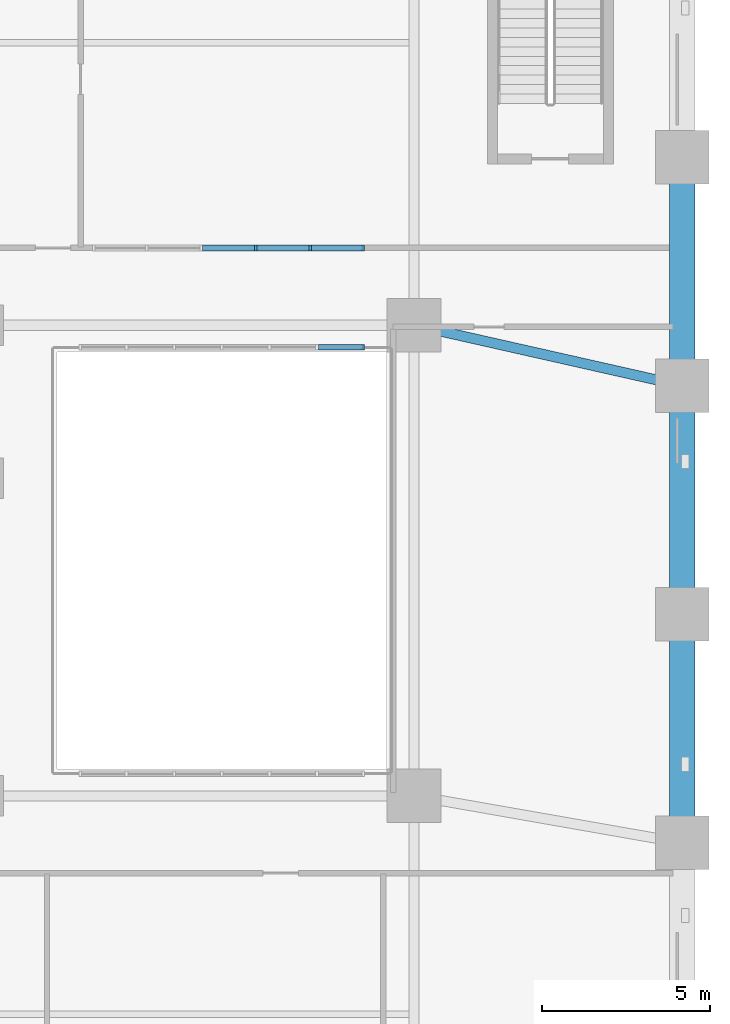
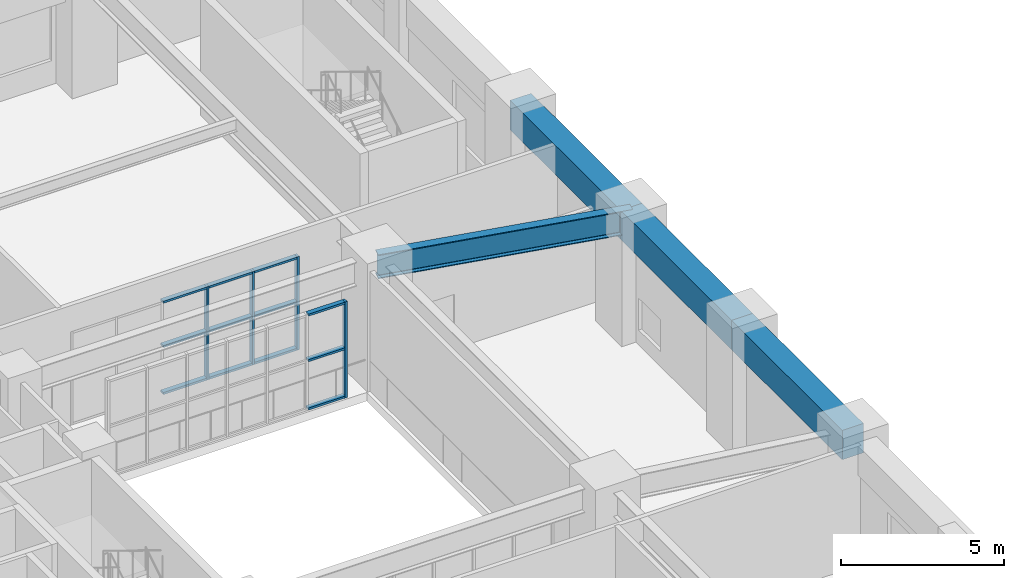
# One storey, part 4 of 13: 16 members, 4 beams, 2 elements without a shape of their own.
"""IFC4 building model written with IfcOpenShell, lengths in metres."""

import ifcopenshell
import ifcopenshell.guid

model = None  # the IFC model being written
_history = None  # IfcOwnerHistory: only IFC2X3 demands one
_inside = {}  # id of a spatial element -> (the spatial element, [elements in it])
_under = {}  # id of a project, library or spatial element -> (it, [spatial elements below it])
_declared = {}  # id of a project -> (the project, [libraries it declares])
_typed = {}  # id of a type object -> (the type object, [elements of that type])
_made_of = {}  # id of a material, layer set ... -> (it, [elements and type objects made of it])


def new_model(schema):
    """Start an empty IFC model of exactly this schema.

    Asked for "IFC4X3", IfcOpenShell would pick the latest addendum, in which some entities
    have other attributes; the version numbers below select the first issue.
    IFC2X3 requires an IfcOwnerHistory on every rooted entity: one is made here for all.
    """
    global model, _history
    if schema == "IFC4X3":
        model = ifcopenshell.file(schema_version=(4, 3, 0, 0))
    else:
        model = ifcopenshell.file(schema=schema)
    _inside.clear()
    _under.clear()
    _declared.clear()
    _typed.clear()
    _made_of.clear()
    _history = None
    if model.schema == "IFC2X3":
        org = make("IfcOrganization", Name="unknown")
        user = make(
            "IfcPersonAndOrganization",
            ThePerson=make("IfcPerson", FamilyName="unknown"),
            TheOrganization=org,
        )
        app = make(
            "IfcApplication",
            ApplicationDeveloper=org,
            Version="unknown",
            ApplicationFullName="unknown",
            ApplicationIdentifier="unknown",
        )
        _history = make(
            "IfcOwnerHistory",
            OwningUser=user,
            OwningApplication=app,
            ChangeAction="ADDED",
            CreationDate=0,
        )
    return model


def make(cls, **values):
    """One entity of the class cls with the attributes given. An attribute that is None is left unset."""
    return model.create_entity(
        cls, **{name: value for name, value in values.items() if value is not None}
    )


def rooted(cls, **values):
    """An entity with a GlobalId (a new one), such as an element, a storey or a relation."""
    return make(cls, GlobalId=ifcopenshell.guid.new(), OwnerHistory=_history, **values)


def si_unit(unit_type, name, prefix=None):
    """IfcSIUnit, for example si_unit("LENGTHUNIT", "METRE", prefix="MILLI")."""
    return make("IfcSIUnit", UnitType=unit_type, Prefix=prefix, Name=name)


def derived_unit(unit_type, elements):
    """IfcDerivedUnit: a product of units, each with its exponent."""
    return make(
        "IfcDerivedUnit",
        Elements=[
            make("IfcDerivedUnitElement", Unit=unit, Exponent=power)
            for unit, power in elements
        ],
        UnitType=unit_type,
    )


def assignment(units):
    """IfcUnitAssignment: the units of a project."""
    return None if units is None else make("IfcUnitAssignment", Units=units)


def point(xyz):
    """IfcCartesianPoint."""
    return None if xyz is None else make("IfcCartesianPoint", Coordinates=xyz)


def direction(xyz):
    """IfcDirection."""
    return None if xyz is None else make("IfcDirection", DirectionRatios=xyz)


def frame(location, z_axis=None, x_axis=None):
    """IfcAxis2Placement3D, a coordinate frame: its origin and axes. An axis left out is left unset."""
    return make(
        "IfcAxis2Placement3D",
        Location=point(location),
        Axis=direction(z_axis),
        RefDirection=direction(x_axis),
    )


def frame_2d(location, x_axis=None):
    """IfcAxis2Placement2D, a coordinate frame in the plane: its origin and x axis."""
    return make(
        "IfcAxis2Placement2D", Location=point(location), RefDirection=direction(x_axis)
    )


def origin():
    """The frame at (0, 0, 0) with its axes left unset."""
    return frame((0.0, 0.0, 0.0))


def origin_2d():
    """The frame at (0, 0) in the plane with its x axis left unset."""
    return frame_2d((0.0, 0.0))


def place(relative_to, where):
    """IfcLocalPlacement: puts the frame where relative to a parent placement (None: the world)."""
    return make(
        "IfcLocalPlacement", PlacementRelTo=relative_to, RelativePlacement=where
    )


def context(
    kind, dimensions, precision=None, world=None, true_north=None, identifier=None
):
    """IfcGeometricRepresentationContext, for example the 3D "Model" context."""
    return make(
        "IfcGeometricRepresentationContext",
        ContextIdentifier=identifier,
        ContextType=kind,
        CoordinateSpaceDimension=dimensions,
        Precision=precision,
        WorldCoordinateSystem=world,
        TrueNorth=true_north,
    )


def subcontext(parent, identifier, kind, view, scale=None):
    """IfcGeometricRepresentationSubContext, for example "Body" below "Model"."""
    return make(
        "IfcGeometricRepresentationSubContext",
        ContextIdentifier=identifier,
        ContextType=kind,
        ParentContext=parent,
        TargetScale=scale,
        TargetView=view,
    )


def project(units=None, contexts=None):
    """IfcProject with its units and contexts."""
    return rooted(
        "IfcProject",
        Name="project",
        RepresentationContexts=contexts,
        UnitsInContext=assignment(units),
    )


def spatial(cls, under=None, at=None, **own):
    """A site, building, storey or space (cls), placed at a placement, below another one or the project."""
    s = rooted(cls, ObjectPlacement=at, **own)
    if under is not None:
        _under.setdefault(under.id(), (under, []))[1].append(s)
    return s


def profile(cls, at=None, kind="AREA", **sizes):
    """A parametric profile (cls). Its sizes go by their IFC names, for example OverallWidth=200.0."""
    return make(cls, ProfileType=kind, Position=at, **sizes)


def rectangle(**sizes):
    """IfcRectangleProfileDef."""
    return profile("IfcRectangleProfileDef", **sizes)


def i_section(**sizes):
    """IfcIShapeProfileDef."""
    return profile("IfcIShapeProfileDef", **sizes)


def extrude(swept, where, along, depth):
    """IfcExtrudedAreaSolid: the profile swept, set in the frame where, extruded along a direction by depth."""
    return make(
        "IfcExtrudedAreaSolid",
        SweptArea=swept,
        Position=where,
        ExtrudedDirection=direction(along),
        Depth=depth,
    )


def shape(context_of_items, identifier, shape_type, items):
    """IfcShapeRepresentation: the items that make up one representation, for example the "Body"."""
    return make(
        "IfcShapeRepresentation",
        ContextOfItems=context_of_items,
        RepresentationIdentifier=identifier,
        RepresentationType=shape_type,
        Items=items,
    )


def material(Name=None, Category=None):
    """IfcMaterial."""
    return make("IfcMaterial", Name=Name, Category=Category)


def material_profile(
    of_material, cross_section, Name=None, Category=None, Priority=None
):
    """IfcMaterialProfile: a cross section and its material."""
    return make(
        "IfcMaterialProfile",
        Name=Name,
        Material=of_material,
        Profile=cross_section,
        Priority=Priority,
        Category=Category,
    )


def profile_set(profiles, Name=None, composite=None):
    """IfcMaterialProfileSet."""
    return make(
        "IfcMaterialProfileSet",
        Name=Name,
        MaterialProfiles=profiles,
        CompositeProfile=composite,
    )


def made_of(thing, what):
    """Note that an element or type object is made of a material, layer set ...; save() writes the relation."""
    if what is not None:
        _made_of.setdefault(what.id(), (what, []))[1].append(thing)
    return thing


def type_object(cls, material=None, **own):
    """A type object (cls), such as IfcWallType, which elements share."""
    return made_of(rooted(cls, **own), material)


def element(
    cls,
    number,
    at=None,
    inside=None,
    cuts=None,
    type_object=None,
    material=None,
    context=None,
    identifier="Body",
    shape_type=None,
    held_by="IfcProductDefinitionShape",
    body=None,
    shapes=None,
    **own,
):
    """One element of the class cls, such as IfcWall. Its Tag is "e" and its number.

    at: its placement. inside: the storey or other place that contains it. cuts: it is an
    opening in that element (IfcRelVoidsElement). A single representation is given by context,
    identifier, shape_type and body (its items); several are given by shapes. held_by: the class
    of the entity that holds the representations. save() writes the other relations.
    """
    e = rooted(cls, Tag="e%d" % number, ObjectPlacement=at, **own)
    if body is not None:
        shapes = [shape(context, identifier, shape_type, body)]
    if shapes is not None:
        e.Representation = make(held_by, Representations=shapes)
    if inside is not None:
        _inside.setdefault(inside.id(), (inside, []))[1].append(e)
    if cuts is not None:
        rooted(
            "IfcRelVoidsElement", RelatingBuildingElement=cuts, RelatedOpeningElement=e
        )
    if type_object is not None:
        _typed.setdefault(type_object.id(), (type_object, []))[1].append(e)
    return made_of(e, material)


def aggregate(whole, parts):
    """IfcRelAggregates: a whole, such as a stair, and the parts it consists of."""
    return rooted("IfcRelAggregates", RelatingObject=whole, RelatedObjects=parts)


def save(model, path):
    """Write the relations noted so far, then the file.

    IfcRelAggregates (storeys below a building ...), IfcRelContainedInSpatialStructure (elements
    in a storey), IfcRelDefinesByType, IfcRelAssociatesMaterial and IfcRelDeclares: one each for
    every whole, place, type object, material and project.
    """
    for whole, parts in _under.values():
        aggregate(whole, parts)
    for where, things in _inside.values():
        rooted(
            "IfcRelContainedInSpatialStructure",
            RelatedElements=things,
            RelatingStructure=where,
        )
    for kind, things in _typed.values():
        rooted("IfcRelDefinesByType", RelatedObjects=things, RelatingType=kind)
    for what, things in _made_of.values():
        rooted("IfcRelAssociatesMaterial", RelatedObjects=things, RelatingMaterial=what)
    for by, libraries in _declared.values():
        rooted("IfcRelDeclares", RelatingContext=by, RelatedDefinitions=libraries)
    model.write(path)


model = new_model("IFC4")

# Units and contexts
model_context = context("Model", 3, precision=1e-05, world=origin(), true_north=direction((0.0, 1.0)))
body_context = subcontext(model_context, "Body", "Model", "MODEL_VIEW")
ifc_project = project(units=[si_unit("LENGTHUNIT", "METRE"), si_unit("AREAUNIT", "SQUARE_METRE"), si_unit("VOLUMEUNIT", "CUBIC_METRE"), si_unit("PLANEANGLEUNIT", "RADIAN"), si_unit("MASSUNIT", "GRAM", prefix="KILO"), derived_unit("THERMALTRANSMITTANCEUNIT", [(si_unit("MASSUNIT", "GRAM", prefix="KILO"), 1), (si_unit("TIMEUNIT", "SECOND"), -3), (si_unit("THERMODYNAMICTEMPERATUREUNIT", "KELVIN"), -1)])], contexts=[model_context])

# Site, building, storey
site_placement = place(None, origin())
site = spatial("IfcSite", under=ifc_project, at=site_placement, CompositionType="ELEMENT")
building_placement = place(site_placement, origin())
building = spatial("IfcBuilding", under=site, at=building_placement, Name="Korrvale Station Residences", CompositionType="ELEMENT")
storey_placement = place(building_placement, frame((0.0, 0.0, 11.199951171875)))
storey = spatial("IfcBuildingStorey", under=building, at=storey_placement, Name="L02", CompositionType="ELEMENT", Elevation=11.199951171875)

# Beams
ifc_material_1 = material(Name="Steel S355", Category="steel")
ifc_material_profile_1 = material_profile(ifc_material_1, i_section(OverallWidth=0.300048828125, OverallDepth=0.89990234375, WebThickness=0.01611328125, FlangeThickness=0.030029296875, FilletRadius=0.01611328125, at=origin_2d()), Name="WWF900x262")
ifc_profile_set_1 = profile_set([ifc_material_profile_1], Name="Steel S355")
beam_type_1 = type_object("IfcBeamType", Name="BM-BM-WWF900x262-S355", PredefinedType="BEAM", material=ifc_profile_set_1)
beam_1_placement = place(storey_placement, frame((46.02001953125, 29.0, 4.030029296875), z_axis=(0.975490412643, -0.220041938824, 0.0), x_axis=(0.220041938824, 0.975490412643, 0.0)))
element("IfcBeam", 1, at=beam_1_placement, inside=storey, type_object=beam_type_1, Name="L02 Station Primary Girder 14", PredefinedType="BEAM", context=body_context, shape_type="SweptSolid", body=[
    extrude(i_section(OverallWidth=0.300048828125, OverallDepth=0.89990234375, WebThickness=0.01611328125, FlangeThickness=0.030029296875, FilletRadius=0.01611328125, at=origin_2d()), origin(), (0.0, 0.0, 1.0), 8.180419921875),
])
ifc_material_2 = material(Name="Concrete C70/85", Category="concrete")
ifc_material_profile_2 = material_profile(ifc_material_2, rectangle(XDim=0.75, YDim=1.10009765625, at=origin_2d()), Name="RCB750x1100")
ifc_profile_set_2 = profile_set([ifc_material_profile_2], Name="Concrete C70/85")
beam_type_2 = type_object("IfcBeamType", Name="BM-SPB-RCB750x1100-C7085", PredefinedType="SPANDREL", material=ifc_profile_set_2)
beam_2_placement = place(storey_placement, frame((54.0, 13.60009765625, 3.929931640625), z_axis=(0.0, 1.0, 0.0), x_axis=(-1.0, 0.0, 0.0)))
element("IfcBeam", 2, at=beam_2_placement, inside=storey, type_object=beam_type_2, Name="L02 Station Spandrel Beam 07", PredefinedType="SPANDREL", context=body_context, shape_type="SweptSolid", body=[
    extrude(rectangle(XDim=0.75, YDim=1.10009765625, at=origin_2d()), origin(), (0.0, 0.0, 1.0), 6.7998046875),
])
for number, where, z_axis, x_axis, name in (
    (3, (54.0, 20.39990234375, 3.929931640625), (0.0, 1.0, 0.0), (-1.0, 0.0, 0.0), "L02 Station Spandrel Beam 08"),
    (4, (54.0, 27.199951171875, 3.929931640625), (0.0, 1.0, 0.0), (-1.0, 0.0, 0.0), "L02 Station Spandrel Beam 09"),
):
    element("IfcBeam", number, at=place(storey_placement, frame(where, z_axis=z_axis, x_axis=x_axis)), inside=storey, type_object=beam_type_2, Name=name, PredefinedType="SPANDREL", context=body_context, shape_type="SweptSolid", body=[
        extrude(rectangle(XDim=0.75, YDim=1.10009765625, at=origin_2d()), origin(), (0.0, 0.0, 1.0), 6.800048828125),
    ])

# Curtain wall, members
ifc_material_3 = material(Name="Unitised thermally broken aluminium curtain wall with triple low-e IGU", Category="aluminium")
curtain_wall_type_1 = type_object("IfcCurtainWallType", Name="CW-ATR-POD", PredefinedType="NOTDEFINED", material=ifc_material_3)
curtain_wall_1_placement = place(storey_placement, origin())
curtain_wall_1 = element("IfcCurtainWall", 5, at=curtain_wall_1_placement, inside=storey, type_object=curtain_wall_type_1, Name="L02 Curtain Wall CW3-RUN-4", PredefinedType="NOTDEFINED")
ifc_material_4 = material(Name="Extruded thermally broken aluminium mullion", Category="aluminium")
member_type_1 = type_object("IfcMemberType", Name="CW-ATR-POD-M", PredefinedType="MULLION", material=ifc_material_4)
member_1_placement = place(storey_placement, frame((44.510009765625, 28.35009765625, 0.0), z_axis=(0.0, 0.0, 1.0), x_axis=(1.0, 0.0, 0.0)))
member_1 = element("IfcMember", 6, at=member_1_placement, type_object=member_type_1, Name="CW-ATR-POD Mullion 7", PredefinedType="MULLION", context=body_context, shape_type="SweptSolid", body=[
    extrude(rectangle(XDim=0.080078125, YDim=0.1650390625, at=origin_2d()), origin(), (0.0, 0.0, 1.0), 3.60009765625),
])
ifc_material_5 = material(Name="Extruded thermally broken aluminium transom", Category="aluminium")
member_type_2 = type_object("IfcMemberType", Name="CW-ATR-POD-T", PredefinedType="USERDEFINED", material=ifc_material_5)
member_2_placement = place(storey_placement, frame((43.841796875, 28.35009765625, 0.0), z_axis=(0.0, 0.0, 1.0), x_axis=(1.0, 0.0, 0.0)))
member_2 = element("IfcMember", 7, at=member_2_placement, type_object=member_type_2, Name="CW-ATR-POD Transom 6-1", ObjectType="TRANSOM", PredefinedType="USERDEFINED", context=body_context, shape_type="SweptSolid", body=[
    extrude(rectangle(XDim=1.336669921875, YDim=0.1650390625, at=origin_2d()), origin(), (0.0, 0.0, 1.0), 0.080078125),
])
member_3_placement = place(storey_placement, frame((43.841796875, 28.35009765625, 1.81005859375), z_axis=(0.0, 0.0, 1.0), x_axis=(1.0, 0.0, 0.0)))
member_3 = element("IfcMember", 8, at=member_3_placement, type_object=member_type_2, Name="CW-ATR-POD Transom 6-2", ObjectType="TRANSOM", PredefinedType="USERDEFINED", context=body_context, shape_type="SweptSolid", body=[
    extrude(rectangle(XDim=1.336669921875, YDim=0.1650390625, at=origin_2d()), origin(), (0.0, 0.0, 1.0), 0.080078125),
])
member_4_placement = place(storey_placement, frame((43.841796875, 28.35009765625, 3.52001953125), z_axis=(0.0, 0.0, 1.0), x_axis=(1.0, 0.0, 0.0)))
member_4 = element("IfcMember", 9, at=member_4_placement, type_object=member_type_2, Name="CW-ATR-POD Transom 6-3", ObjectType="TRANSOM", PredefinedType="USERDEFINED", context=body_context, shape_type="SweptSolid", body=[
    extrude(rectangle(XDim=1.336669921875, YDim=0.1650390625, at=origin_2d()), origin(), (0.0, 0.0, 1.0), 0.080078125),
])
aggregate(curtain_wall_1, [member_1, member_2, member_3, member_4])

curtain_wall_type_2 = type_object("IfcCurtainWallType", Name="CW-STN-CON", PredefinedType="NOTDEFINED", material=ifc_material_3)
curtain_wall_2_placement = place(storey_placement, origin())
curtain_wall_2 = element("IfcCurtainWall", 10, at=curtain_wall_2_placement, inside=storey, type_object=curtain_wall_type_2, Name="L02 Curtain Wall CW2-RUN-6", PredefinedType="NOTDEFINED")
member_type_3 = type_object("IfcMemberType", Name="CW-STN-CON-M", PredefinedType="MULLION", material=ifc_material_4)
member_5_placement = place(storey_placement, frame((41.31005859375, 31.300048828125, 0.0), z_axis=(0.0, 0.0, 1.0), x_axis=(1.0, 0.0, 0.0)))
member_5 = element("IfcMember", 11, at=member_5_placement, type_object=member_type_3, Name="CW-STN-CON Mullion 4", PredefinedType="MULLION", context=body_context, shape_type="SweptSolid", body=[
    extrude(rectangle(XDim=0.080078125, YDim=0.169921875, at=origin_2d()), origin(), (0.0, 0.0, 1.0), 3.5),
])
member_6_placement = place(storey_placement, frame((42.929931640625, 31.300048828125, 0.0), z_axis=(0.0, 0.0, 1.0), x_axis=(1.0, 0.0, 0.0)))
member_6 = element("IfcMember", 12, at=member_6_placement, type_object=member_type_3, Name="CW-STN-CON Mullion 5", PredefinedType="MULLION", context=body_context, shape_type="SweptSolid", body=[
    extrude(rectangle(XDim=0.080078125, YDim=0.169921875, at=origin_2d()), origin(), (0.0, 0.0, 1.0), 3.5),
])
member_7_placement = place(storey_placement, frame((44.510009765625, 31.300048828125, 0.0), z_axis=(0.0, 0.0, 1.0), x_axis=(1.0, 0.0, 0.0)))
member_7 = element("IfcMember", 13, at=member_7_placement, type_object=member_type_3, Name="CW-STN-CON Mullion 6", PredefinedType="MULLION", context=body_context, shape_type="SweptSolid", body=[
    extrude(rectangle(XDim=0.080078125, YDim=0.169921875, at=origin_2d()), origin(), (0.0, 0.0, 1.0), 3.5),
])
member_type_4 = type_object("IfcMemberType", Name="CW-STN-CON-T", PredefinedType="USERDEFINED", material=ifc_material_5)
member_8_placement = place(storey_placement, frame((40.5, 31.300048828125, 0.0), z_axis=(0.0, 0.0, 1.0), x_axis=(1.0, 0.0, 0.0)))
member_8 = element("IfcMember", 14, at=member_8_placement, type_object=member_type_4, Name="CW-STN-CON Transom 3-1", ObjectType="TRANSOM", PredefinedType="USERDEFINED", context=body_context, shape_type="SweptSolid", body=[
    extrude(rectangle(XDim=1.5400390625, YDim=0.169921875, at=origin_2d()), origin(), (0.0, 0.0, 1.0), 0.080078125),
])
member_9_placement = place(storey_placement, frame((40.5, 31.300048828125, 1.760009765625), z_axis=(0.0, 0.0, 1.0), x_axis=(1.0, 0.0, 0.0)))
member_9 = element("IfcMember", 15, at=member_9_placement, type_object=member_type_4, Name="CW-STN-CON Transom 3-2", ObjectType="TRANSOM", PredefinedType="USERDEFINED", context=body_context, shape_type="SweptSolid", body=[
    extrude(rectangle(XDim=1.5400390625, YDim=0.169921875, at=origin_2d()), origin(), (0.0, 0.0, 1.0), 0.080078125),
])
member_10_placement = place(storey_placement, frame((40.5, 31.300048828125, 3.419921875), z_axis=(0.0, 0.0, 1.0), x_axis=(1.0, 0.0, 0.0)))
member_10 = element("IfcMember", 16, at=member_10_placement, type_object=member_type_4, Name="CW-STN-CON Transom 3-3", ObjectType="TRANSOM", PredefinedType="USERDEFINED", context=body_context, shape_type="SweptSolid", body=[
    extrude(rectangle(XDim=1.5400390625, YDim=0.169921875, at=origin_2d()), origin(), (0.0, 0.0, 1.0), 0.080078125),
])
member_11_placement = place(storey_placement, frame((42.1201171875, 31.300048828125, 0.0), z_axis=(0.0, 0.0, 1.0), x_axis=(1.0, 0.0, 0.0)))
member_11 = element("IfcMember", 17, at=member_11_placement, type_object=member_type_4, Name="CW-STN-CON Transom 4-1", ObjectType="TRANSOM", PredefinedType="USERDEFINED", context=body_context, shape_type="SweptSolid", body=[
    extrude(rectangle(XDim=1.5400390625, YDim=0.169921875, at=origin_2d()), origin(), (0.0, 0.0, 1.0), 0.080078125),
])
member_12_placement = place(storey_placement, frame((42.1201171875, 31.300048828125, 1.760009765625), z_axis=(0.0, 0.0, 1.0), x_axis=(1.0, 0.0, 0.0)))
member_12 = element("IfcMember", 18, at=member_12_placement, type_object=member_type_4, Name="CW-STN-CON Transom 4-2", ObjectType="TRANSOM", PredefinedType="USERDEFINED", context=body_context, shape_type="SweptSolid", body=[
    extrude(rectangle(XDim=1.5400390625, YDim=0.169921875, at=origin_2d()), origin(), (0.0, 0.0, 1.0), 0.080078125),
])
member_13_placement = place(storey_placement, frame((42.1201171875, 31.300048828125, 3.419921875), z_axis=(0.0, 0.0, 1.0), x_axis=(1.0, 0.0, 0.0)))
member_13 = element("IfcMember", 19, at=member_13_placement, type_object=member_type_4, Name="CW-STN-CON Transom 4-3", ObjectType="TRANSOM", PredefinedType="USERDEFINED", context=body_context, shape_type="SweptSolid", body=[
    extrude(rectangle(XDim=1.5400390625, YDim=0.169921875, at=origin_2d()), origin(), (0.0, 0.0, 1.0), 0.080078125),
])
member_14_placement = place(storey_placement, frame((43.739990234375, 31.300048828125, 0.0), z_axis=(0.0, 0.0, 1.0), x_axis=(1.0, 0.0, 0.0)))
member_14 = element("IfcMember", 20, at=member_14_placement, type_object=member_type_4, Name="CW-STN-CON Transom 5-1", ObjectType="TRANSOM", PredefinedType="USERDEFINED", context=body_context, shape_type="SweptSolid", body=[
    extrude(rectangle(XDim=1.5400390625, YDim=0.169921875, at=origin_2d()), origin(), (0.0, 0.0, 1.0), 0.080078125),
])
member_15_placement = place(storey_placement, frame((43.739990234375, 31.300048828125, 1.760009765625), z_axis=(0.0, 0.0, 1.0), x_axis=(1.0, 0.0, 0.0)))
member_15 = element("IfcMember", 21, at=member_15_placement, type_object=member_type_4, Name="CW-STN-CON Transom 5-2", ObjectType="TRANSOM", PredefinedType="USERDEFINED", context=body_context, shape_type="SweptSolid", body=[
    extrude(rectangle(XDim=1.5400390625, YDim=0.169921875, at=origin_2d()), origin(), (0.0, 0.0, 1.0), 0.080078125),
])
member_16_placement = place(storey_placement, frame((43.739990234375, 31.300048828125, 3.419921875), z_axis=(0.0, 0.0, 1.0), x_axis=(1.0, 0.0, 0.0)))
member_16 = element("IfcMember", 22, at=member_16_placement, type_object=member_type_4, Name="CW-STN-CON Transom 5-3", ObjectType="TRANSOM", PredefinedType="USERDEFINED", context=body_context, shape_type="SweptSolid", body=[
    extrude(rectangle(XDim=1.5400390625, YDim=0.169921875, at=origin_2d()), origin(), (0.0, 0.0, 1.0), 0.080078125),
])
aggregate(curtain_wall_2, [member_5, member_6, member_7, member_8, member_9, member_10, member_11, member_12, member_13, member_14, member_15, member_16])

save(model, "model.ifc")
